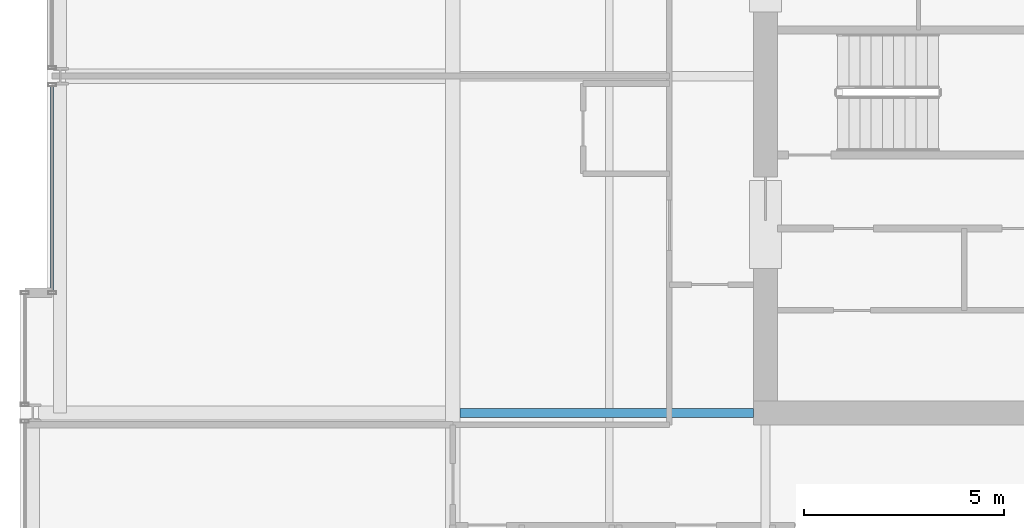
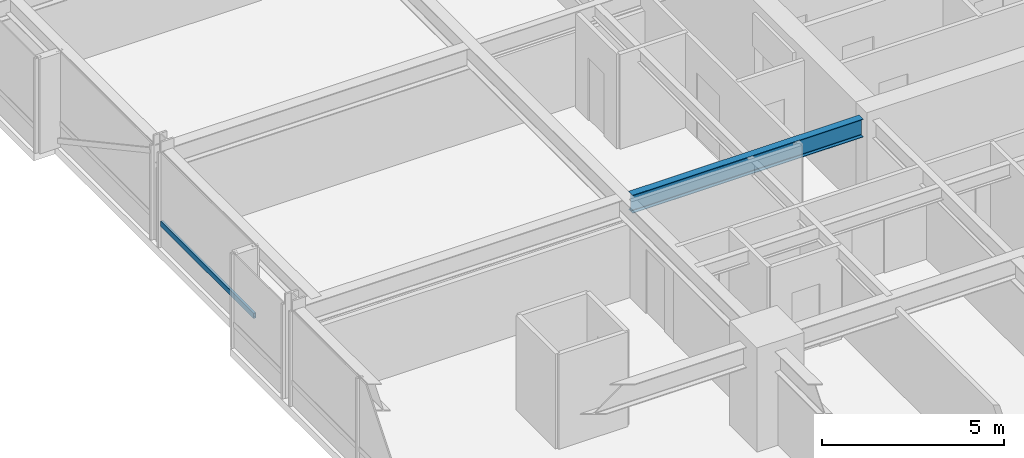
# One storey, part 8 of 35: 1 beam, 1 member, 1 element without a shape of its own.
"""IFC4 building model written with IfcOpenShell, lengths in metres."""

import ifcopenshell
import ifcopenshell.guid

model = None  # the IFC model being written
_history = None  # IfcOwnerHistory: only IFC2X3 demands one
_inside = {}  # id of a spatial element -> (the spatial element, [elements in it])
_under = {}  # id of a project, library or spatial element -> (it, [spatial elements below it])
_declared = {}  # id of a project -> (the project, [libraries it declares])
_typed = {}  # id of a type object -> (the type object, [elements of that type])
_made_of = {}  # id of a material, layer set ... -> (it, [elements and type objects made of it])


def new_model(schema):
    """Start an empty IFC model of exactly this schema.

    Asked for "IFC4X3", IfcOpenShell would pick the latest addendum, in which some entities
    have other attributes; the version numbers below select the first issue.
    IFC2X3 requires an IfcOwnerHistory on every rooted entity: one is made here for all.
    """
    global model, _history
    if schema == "IFC4X3":
        model = ifcopenshell.file(schema_version=(4, 3, 0, 0))
    else:
        model = ifcopenshell.file(schema=schema)
    _inside.clear()
    _under.clear()
    _declared.clear()
    _typed.clear()
    _made_of.clear()
    _history = None
    if model.schema == "IFC2X3":
        org = make("IfcOrganization", Name="unknown")
        user = make(
            "IfcPersonAndOrganization",
            ThePerson=make("IfcPerson", FamilyName="unknown"),
            TheOrganization=org,
        )
        app = make(
            "IfcApplication",
            ApplicationDeveloper=org,
            Version="unknown",
            ApplicationFullName="unknown",
            ApplicationIdentifier="unknown",
        )
        _history = make(
            "IfcOwnerHistory",
            OwningUser=user,
            OwningApplication=app,
            ChangeAction="ADDED",
            CreationDate=0,
        )
    return model


def make(cls, **values):
    """One entity of the class cls with the attributes given. An attribute that is None is left unset."""
    return model.create_entity(
        cls, **{name: value for name, value in values.items() if value is not None}
    )


def rooted(cls, **values):
    """An entity with a GlobalId (a new one), such as an element, a storey or a relation."""
    return make(cls, GlobalId=ifcopenshell.guid.new(), OwnerHistory=_history, **values)


def si_unit(unit_type, name, prefix=None):
    """IfcSIUnit, for example si_unit("LENGTHUNIT", "METRE", prefix="MILLI")."""
    return make("IfcSIUnit", UnitType=unit_type, Prefix=prefix, Name=name)


def assignment(units):
    """IfcUnitAssignment: the units of a project."""
    return None if units is None else make("IfcUnitAssignment", Units=units)


def point(xyz):
    """IfcCartesianPoint."""
    return None if xyz is None else make("IfcCartesianPoint", Coordinates=xyz)


def direction(xyz):
    """IfcDirection."""
    return None if xyz is None else make("IfcDirection", DirectionRatios=xyz)


def frame(location, z_axis=None, x_axis=None):
    """IfcAxis2Placement3D, a coordinate frame: its origin and axes. An axis left out is left unset."""
    return make(
        "IfcAxis2Placement3D",
        Location=point(location),
        Axis=direction(z_axis),
        RefDirection=direction(x_axis),
    )


def frame_2d(location, x_axis=None):
    """IfcAxis2Placement2D, a coordinate frame in the plane: its origin and x axis."""
    return make(
        "IfcAxis2Placement2D", Location=point(location), RefDirection=direction(x_axis)
    )


def origin():
    """The frame at (0, 0, 0) with its axes left unset."""
    return frame((0.0, 0.0, 0.0))


def origin_2d():
    """The frame at (0, 0) in the plane with its x axis left unset."""
    return frame_2d((0.0, 0.0))


def place(relative_to, where):
    """IfcLocalPlacement: puts the frame where relative to a parent placement (None: the world)."""
    return make(
        "IfcLocalPlacement", PlacementRelTo=relative_to, RelativePlacement=where
    )


def context(
    kind, dimensions, precision=None, world=None, true_north=None, identifier=None
):
    """IfcGeometricRepresentationContext, for example the 3D "Model" context."""
    return make(
        "IfcGeometricRepresentationContext",
        ContextIdentifier=identifier,
        ContextType=kind,
        CoordinateSpaceDimension=dimensions,
        Precision=precision,
        WorldCoordinateSystem=world,
        TrueNorth=true_north,
    )


def subcontext(parent, identifier, kind, view, scale=None):
    """IfcGeometricRepresentationSubContext, for example "Body" below "Model"."""
    return make(
        "IfcGeometricRepresentationSubContext",
        ContextIdentifier=identifier,
        ContextType=kind,
        ParentContext=parent,
        TargetScale=scale,
        TargetView=view,
    )


def project(units=None, contexts=None):
    """IfcProject with its units and contexts."""
    return rooted(
        "IfcProject",
        Name="project",
        RepresentationContexts=contexts,
        UnitsInContext=assignment(units),
    )


def spatial(cls, under=None, at=None, **own):
    """A site, building, storey or space (cls), placed at a placement, below another one or the project."""
    s = rooted(cls, ObjectPlacement=at, **own)
    if under is not None:
        _under.setdefault(under.id(), (under, []))[1].append(s)
    return s


def profile(cls, at=None, kind="AREA", **sizes):
    """A parametric profile (cls). Its sizes go by their IFC names, for example OverallWidth=200.0."""
    return make(cls, ProfileType=kind, Position=at, **sizes)


def hollow_rectangle(**sizes):
    """IfcRectangleHollowProfileDef."""
    return profile("IfcRectangleHollowProfileDef", **sizes)


def i_section(**sizes):
    """IfcIShapeProfileDef."""
    return profile("IfcIShapeProfileDef", **sizes)


def extrude(swept, where, along, depth):
    """IfcExtrudedAreaSolid: the profile swept, set in the frame where, extruded along a direction by depth."""
    return make(
        "IfcExtrudedAreaSolid",
        SweptArea=swept,
        Position=where,
        ExtrudedDirection=direction(along),
        Depth=depth,
    )


def shape(context_of_items, identifier, shape_type, items):
    """IfcShapeRepresentation: the items that make up one representation, for example the "Body"."""
    return make(
        "IfcShapeRepresentation",
        ContextOfItems=context_of_items,
        RepresentationIdentifier=identifier,
        RepresentationType=shape_type,
        Items=items,
    )


def material(Name=None, Category=None):
    """IfcMaterial."""
    return make("IfcMaterial", Name=Name, Category=Category)


def layer(
    of_material, thickness, ventilated=None, Name=None, Category=None, Priority=None
):
    """IfcMaterialLayer: one layer of a wall or slab, of a material (None: an air gap)."""
    return make(
        "IfcMaterialLayer",
        Material=of_material,
        LayerThickness=thickness,
        IsVentilated=ventilated,
        Name=Name,
        Category=Category,
        Priority=Priority,
    )


def layer_set(layers, Name=None):
    """IfcMaterialLayerSet."""
    return make("IfcMaterialLayerSet", MaterialLayers=layers, LayerSetName=Name)


def material_profile(
    of_material, cross_section, Name=None, Category=None, Priority=None
):
    """IfcMaterialProfile: a cross section and its material."""
    return make(
        "IfcMaterialProfile",
        Name=Name,
        Material=of_material,
        Profile=cross_section,
        Priority=Priority,
        Category=Category,
    )


def profile_set(profiles, Name=None, composite=None):
    """IfcMaterialProfileSet."""
    return make(
        "IfcMaterialProfileSet",
        Name=Name,
        MaterialProfiles=profiles,
        CompositeProfile=composite,
    )


def made_of(thing, what):
    """Note that an element or type object is made of a material, layer set ...; save() writes the relation."""
    if what is not None:
        _made_of.setdefault(what.id(), (what, []))[1].append(thing)
    return thing


def type_object(cls, material=None, **own):
    """A type object (cls), such as IfcWallType, which elements share."""
    return made_of(rooted(cls, **own), material)


def element(
    cls,
    number,
    at=None,
    inside=None,
    cuts=None,
    type_object=None,
    material=None,
    context=None,
    identifier="Body",
    shape_type=None,
    held_by="IfcProductDefinitionShape",
    body=None,
    shapes=None,
    **own,
):
    """One element of the class cls, such as IfcWall. Its Tag is "e" and its number.

    at: its placement. inside: the storey or other place that contains it. cuts: it is an
    opening in that element (IfcRelVoidsElement). A single representation is given by context,
    identifier, shape_type and body (its items); several are given by shapes. held_by: the class
    of the entity that holds the representations. save() writes the other relations.
    """
    e = rooted(cls, Tag="e%d" % number, ObjectPlacement=at, **own)
    if body is not None:
        shapes = [shape(context, identifier, shape_type, body)]
    if shapes is not None:
        e.Representation = make(held_by, Representations=shapes)
    if inside is not None:
        _inside.setdefault(inside.id(), (inside, []))[1].append(e)
    if cuts is not None:
        rooted(
            "IfcRelVoidsElement", RelatingBuildingElement=cuts, RelatedOpeningElement=e
        )
    if type_object is not None:
        _typed.setdefault(type_object.id(), (type_object, []))[1].append(e)
    return made_of(e, material)


def aggregate(whole, parts):
    """IfcRelAggregates: a whole, such as a stair, and the parts it consists of."""
    return rooted("IfcRelAggregates", RelatingObject=whole, RelatedObjects=parts)


def save(model, path):
    """Write the relations noted so far, then the file.

    IfcRelAggregates (storeys below a building ...), IfcRelContainedInSpatialStructure (elements
    in a storey), IfcRelDefinesByType, IfcRelAssociatesMaterial and IfcRelDeclares: one each for
    every whole, place, type object, material and project.
    """
    for whole, parts in _under.values():
        aggregate(whole, parts)
    for where, things in _inside.values():
        rooted(
            "IfcRelContainedInSpatialStructure",
            RelatedElements=things,
            RelatingStructure=where,
        )
    for kind, things in _typed.values():
        rooted("IfcRelDefinesByType", RelatedObjects=things, RelatingType=kind)
    for what, things in _made_of.values():
        rooted("IfcRelAssociatesMaterial", RelatedObjects=things, RelatingMaterial=what)
    for by, libraries in _declared.values():
        rooted("IfcRelDeclares", RelatingContext=by, RelatedDefinitions=libraries)
    model.write(path)


model = new_model("IFC4")

# Units and contexts
model_context = context("Model", 3, precision=1e-05, world=origin(), true_north=direction((0.0, 1.0)))
body_context = subcontext(model_context, "Body", "Model", "MODEL_VIEW")
ifc_project = project(units=[si_unit("LENGTHUNIT", "METRE"), si_unit("AREAUNIT", "SQUARE_METRE"), si_unit("VOLUMEUNIT", "CUBIC_METRE"), si_unit("PLANEANGLEUNIT", "RADIAN"), si_unit("MASSUNIT", "GRAM", prefix="KILO")], contexts=[model_context])

# Site, building, storey
site_placement = place(None, origin())
site = spatial("IfcSite", under=ifc_project, at=site_placement, CompositionType="ELEMENT")
building_placement = place(site_placement, origin())
building = spatial("IfcBuilding", under=site, at=building_placement, Name="Drelvath Grand Hotel", CompositionType="ELEMENT")
storey_placement = place(building_placement, frame((0.0, 0.0, 137.300048828125)))
storey = spatial("IfcBuildingStorey", under=building, at=storey_placement, Name="L35", CompositionType="ELEMENT", Elevation=137.300048828125)

# Curtain wall, member
ifc_material_1 = material(Name="Champagne Bronze Anodised Aluminium Frame", Category="aluminium")
ifc_layer = layer(ifc_material_1, 0.199951171875)
ifc_layer_set = layer_set([ifc_layer], Name="Champagne Bronze Anodised Aluminium Frame")
curtain_wall_type = type_object("IfcCurtainWallType", Name="Stick Curtain Wall CW-03 Champagne Bronze Mid-Rise", PredefinedType="NOTDEFINED", material=ifc_layer_set)
curtain_wall_placement = place(storey_placement, origin())
curtain_wall = element("IfcCurtainWall", 1, at=curtain_wall_placement, inside=storey, type_object=curtain_wall_type, Name="L35 CW-03 Curtain Wall CW03-L35-WM1", PredefinedType="NOTDEFINED")
ifc_material_profile_1 = material_profile(ifc_material_1, hollow_rectangle(XDim=0.074951171875, YDim=0.179931640625, WallThickness=0.0048828125, at=origin_2d()), Name="HSS180X75X5")
ifc_profile_set_1 = profile_set([ifc_material_profile_1], Name="Champagne Bronze Anodised Aluminium Frame")
member_type = type_object("IfcMemberType", Name="Curtain Wall Horizontal Transom CW-03 HSS180X75X5", PredefinedType="USERDEFINED", material=ifc_profile_set_1)
member_placement = place(storey_placement, frame((-26.199951171875, 21.639892578125, 0.794921875), z_axis=(0.0, 1.0, 0.0), x_axis=(-1.0, 0.0, 0.0)))
member = element("IfcMember", 2, at=member_placement, type_object=member_type, Name="CW03-L35-WM1 Sill Transom", ObjectType="TRANSOM", PredefinedType="USERDEFINED", context=body_context, shape_type="SweptSolid", body=[
    extrude(hollow_rectangle(XDim=0.074951171875, YDim=0.179931640625, WallThickness=0.0048828125, at=origin_2d()), origin(), (0.0, 0.0, 1.0), 5.110595703125),
])
aggregate(curtain_wall, [member])

# Beam
ifc_material_2 = material(Name="Steel ASTM A992 Gr 50", Category="steel")
ifc_material_profile_2 = material_profile(ifc_material_2, i_section(OverallWidth=0.228271484375, OverallDepth=0.607666015625, WebThickness=0.01123046875, FlangeThickness=0.017333984375, FilletRadius=0.02001953125, at=origin_2d()), Name="W24X76")
ifc_profile_set_2 = profile_set([ifc_material_profile_2], Name="Steel ASTM A992 Gr 50")
beam_type = type_object("IfcBeamType", Name="Primary Floor Girder W24X76", PredefinedType="BEAM", material=ifc_profile_set_2)
beam_placement = place(storey_placement, frame((-16.022705078125, 18.60009765625, 2.876220703125), z_axis=(1.0, 0.0, 0.0), x_axis=(0.0, 1.0, 0.0)))
element("IfcBeam", 3, at=beam_placement, inside=storey, type_object=beam_type, Name="L35 West Core Tie D", PredefinedType="BEAM", context=body_context, shape_type="SweptSolid", body=[
    extrude(i_section(OverallWidth=0.228271484375, OverallDepth=0.607666015625, WebThickness=0.01123046875, FlangeThickness=0.017333984375, FilletRadius=0.02001953125, at=origin_2d()), origin(), (0.0, 0.0, 1.0), 7.32275390625),
])

save(model, "model.ifc")
